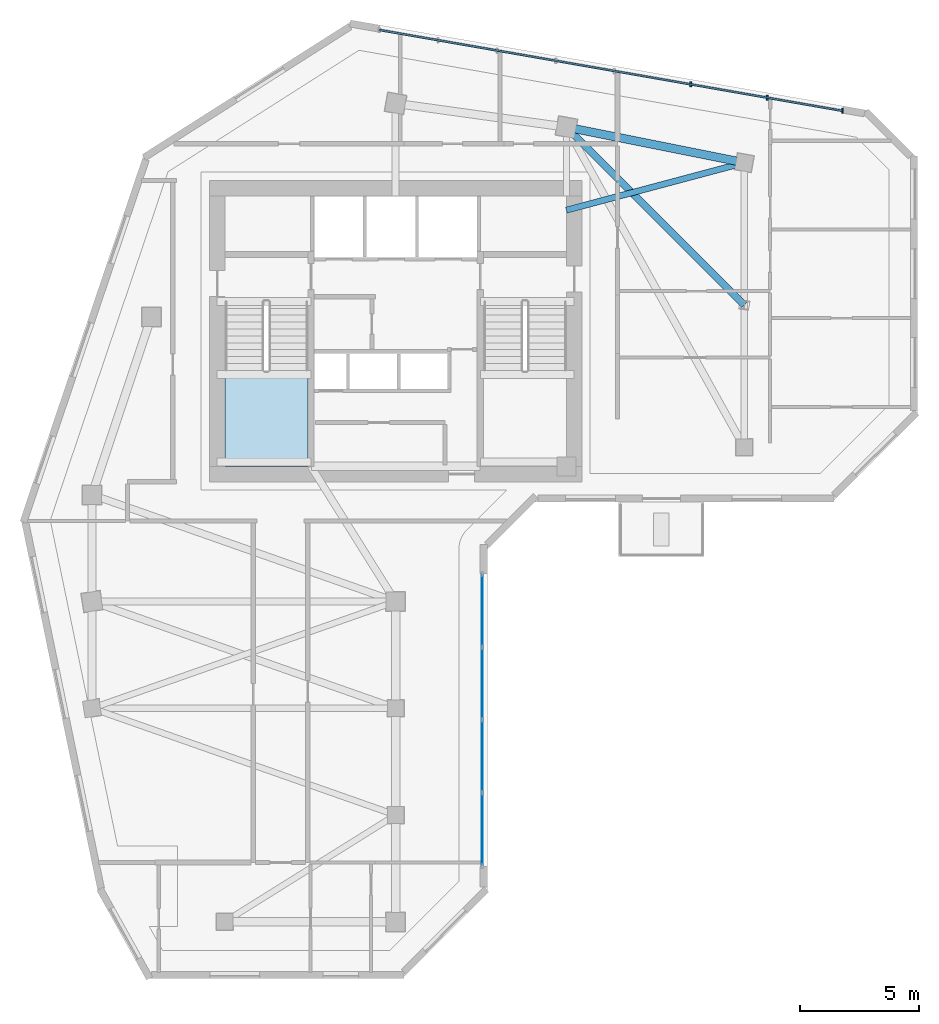
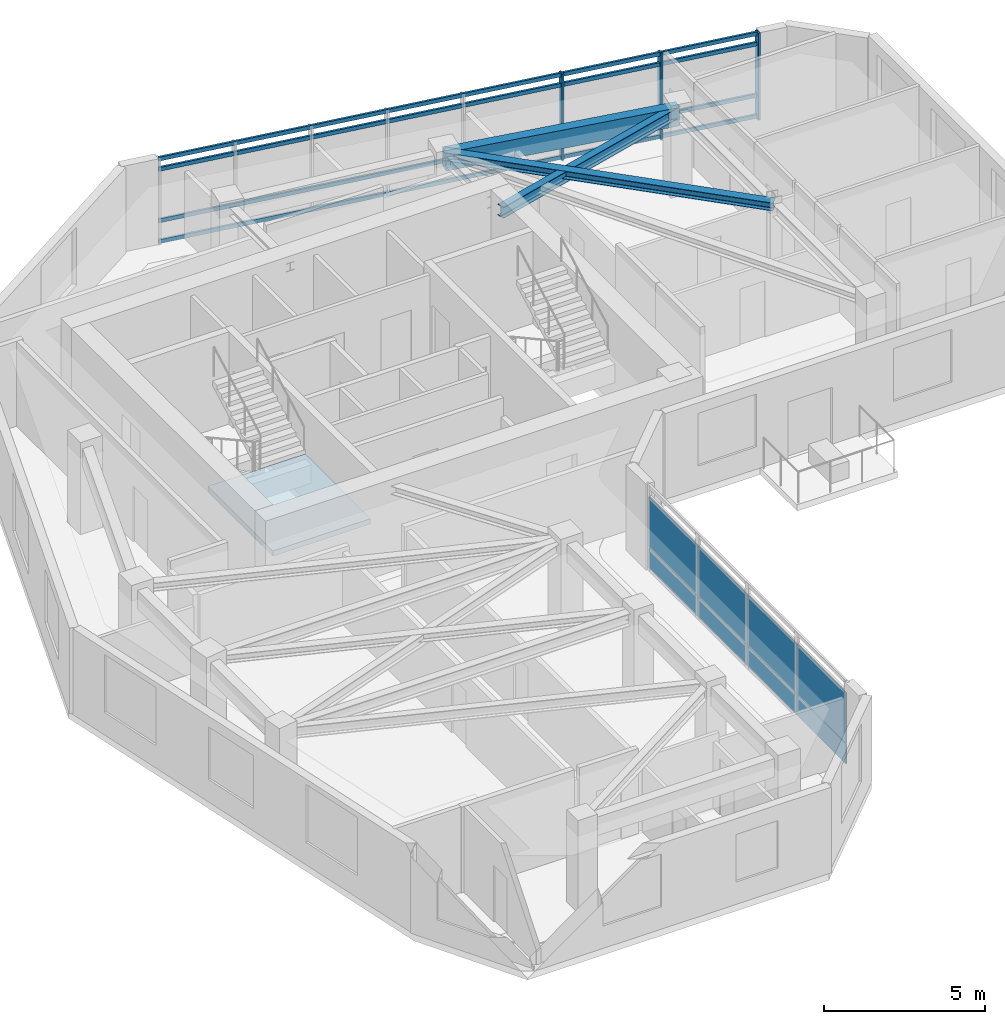
# One storey, part 2 of 9: 8 plates, 7 members, 3 beams, 1 slab, 3 elements without a shape of their own.
"""IFC4 building model written with IfcOpenShell, lengths in metres."""

from ifc_helpers import new_model, si_unit, direction, frame, frame_2d, origin, origin_2d, place, context, subcontext, project, spatial, polyline, rectangle, i_section, outline, extrude, source, transform, mapped, material, layer, layer_set, material_profile, profile_set, type_object, element, aggregate, save


model = new_model("IFC4")

# Units and contexts
model_context = context("Model", 3, precision=1e-05, world=origin(), true_north=direction((0.0, 1.0)))
body_context = subcontext(model_context, "Body", "Model", "MODEL_VIEW")
ifc_project = project(units=[si_unit("LENGTHUNIT", "METRE"), si_unit("AREAUNIT", "SQUARE_METRE"), si_unit("VOLUMEUNIT", "CUBIC_METRE"), si_unit("PLANEANGLEUNIT", "RADIAN"), si_unit("MASSUNIT", "GRAM", prefix="KILO")], contexts=[model_context])

# Site, building, storey
site_placement = place(None, origin())
site = spatial("IfcSite", under=ifc_project, at=site_placement, CompositionType="ELEMENT")
building_placement = place(site_placement, origin())
building = spatial("IfcBuilding", under=site, at=building_placement, Name="Calvemar Wedge Station Tower", CompositionType="ELEMENT")
storey_placement = place(building_placement, frame((0.0, 0.0, 232.39990234375)))
storey = spatial("IfcBuildingStorey", under=building, at=storey_placement, Name="L59", CompositionType="ELEMENT", Elevation=232.39990234375)

# Beams
ifc_material_1 = material(Name="Structural steel ASTM A572 Grade 50", Category="steel")
ifc_material_profile_1 = material_profile(ifc_material_1, i_section(OverallWidth=0.260986328125, OverallDepth=0.419921875, WebThickness=0.01171875, FlangeThickness=0.019287109375, FilletRadius=0.012939453125, at=origin_2d()), Name="W410x114")
ifc_profile_set_1 = profile_set([ifc_material_profile_1], Name="Structural steel ASTM A572 Grade 50")
beam_type_1 = type_object("IfcBeamType", Name="BM-J2-W410H", PredefinedType="JOIST", material=ifc_profile_set_1)
shared_shape_1 = source(origin(), body_context, "Body", "SweptSolid", [
    extrude(i_section(OverallWidth=0.260986328125, OverallDepth=0.419921875, WebThickness=0.01171875, FlangeThickness=0.019287109375, FilletRadius=0.012939453125, at=origin_2d()), origin(), (0.0, 0.0, 1.0), 7.76220703125),
])
beam_1_placement = place(storey_placement, frame((31.0, 45.0, 3.0400390625), z_axis=(0.966234939601, 0.25766265056, 0.0), x_axis=(-0.25766265056, 0.966234939601, 0.0)))
element("IfcBeam", 1, at=beam_1_placement, inside=storey, type_object=beam_type_1, Name="Storey L59 Core-to-Column Joist CJ-E2", PredefinedType="JOIST", context=body_context, shape_type="MappedRepresentation", body=[
    mapped(shared_shape_1, transform((0.0, 0.0, 0.0), scale=1.0)),
])
ifc_material_profile_2 = material_profile(ifc_material_1, i_section(OverallWidth=0.304931640625, OverallDepth=0.30810546875, WebThickness=0.010009765625, FlangeThickness=0.015380859375, FilletRadius=0.014892578125, at=origin_2d()), Name="W310x97")
ifc_profile_set_2 = profile_set([ifc_material_profile_2], Name="Structural steel ASTM A572 Grade 50")
beam_type_2 = type_object("IfcBeamType", Name="BM-J6-W310", PredefinedType="JOIST", material=ifc_profile_set_2)
shared_shape_2 = source(origin(), body_context, "Body", "SweptSolid", [
    extrude(i_section(OverallWidth=0.304931640625, OverallDepth=0.30810546875, WebThickness=0.010009765625, FlangeThickness=0.015380859375, FilletRadius=0.014892578125, at=origin_2d()), origin(), (0.0, 0.0, 1.0), 10.606689453125),
])
beam_2_placement = place(storey_placement, frame((38.5, 41.0, 3.09619140625), z_axis=(-0.707106781187, 0.707106781187, 0.0), x_axis=(-0.707106781187, -0.707106781187, 0.0)))
element("IfcBeam", 2, at=beam_2_placement, inside=storey, type_object=beam_type_2, Name="Storey L59 Floor Beam T-NTIP-B-T-N2", PredefinedType="JOIST", context=body_context, shape_type="MappedRepresentation", body=[
    mapped(shared_shape_2, transform((0.0, 0.0, 0.0), scale=1.0)),
])
ifc_material_2 = material(Name="Concrete C50", Category="concrete")
ifc_material_profile_3 = material_profile(ifc_material_2, rectangle(XDim=0.35009765625, YDim=0.699951171875, at=origin_2d()), Name="RC350x700")
ifc_profile_set_3 = profile_set([ifc_material_profile_3], Name="Concrete C50")
beam_type_3 = type_object("IfcBeamType", Name="BM-SP2-700", PredefinedType="SPANDREL", material=ifc_profile_set_3)
shared_shape_3 = source(origin(), body_context, "Body", "SweptSolid", [
    extrude(rectangle(XDim=0.35009765625, YDim=0.699951171875, at=origin_2d()), origin(), (0.0, 0.0, 1.0), 7.6484375),
])
beam_3_placement = place(storey_placement, frame((31.0, 48.5, 2.900146484375), z_axis=(0.980580675691, -0.196116135138, 0.0), x_axis=(0.196116135138, 0.980580675691, 0.0)))
element("IfcBeam", 3, at=beam_3_placement, inside=storey, type_object=beam_type_3, Name="Storey L59 Spandrel T-N2-T-NU3", PredefinedType="SPANDREL", context=body_context, shape_type="MappedRepresentation", body=[
    mapped(shared_shape_3, transform((0.0, 0.0, 0.0), scale=1.0)),
])

# Curtain wall, members
ifc_material_3 = material(Name="Anodised aluminium 6063-T6", Category="aluminium")
curtain_wall_type = type_object("IfcCurtainWallType", Name="CW3", PredefinedType="NOTDEFINED", material=ifc_material_3)
curtain_wall_1_placement = place(storey_placement, origin())
curtain_wall_1 = element("IfcCurtainWall", 4, at=curtain_wall_1_placement, inside=storey, type_object=curtain_wall_type, Name="Storey L59 CW3 Recessed Unitised Curtain Wall 10", PredefinedType="NOTDEFINED")
ifc_material_profile_4 = material_profile(ifc_material_3, rectangle(XDim=0.074951171875, YDim=0.2099609375, at=origin_2d()), Name="AL-MUL-75x210")
ifc_profile_set_4 = profile_set([ifc_material_profile_4], Name="Anodised aluminium 6063-T6")
member_type_1 = type_object("IfcMemberType", Name="CW3-MUL", PredefinedType="MULLION", material=ifc_profile_set_4)
shared_shape_4 = source(origin(), body_context, "Body", "SweptSolid", [
    extrude(rectangle(XDim=0.074951171875, YDim=0.2099609375, at=origin_2d()), origin(), (0.0, 0.0, 1.0), 3.2998046875),
])
member_1_placement = place(storey_placement, frame((42.633544921875, 49.1826171875, -0.0498046875), z_axis=(0.0, 0.0, 1.0), x_axis=(1.0, 0.0, 0.0)))
member_1 = element("IfcMember", 5, at=member_1_placement, type_object=member_type_1, Name="CW3 mullion 1", PredefinedType="MULLION", context=body_context, shape_type="MappedRepresentation", body=[
    mapped(shared_shape_4, transform((0.0, 0.0, 0.0), scale=1.0)),
])
member_2_placement = place(storey_placement, frame((39.46142578125, 49.73681640625, -0.0498046875), z_axis=(0.0, 0.0, 1.0), x_axis=(1.0, 0.0, 0.0)))
member_2 = element("IfcMember", 6, at=member_2_placement, type_object=member_type_1, Name="CW3 mullion 2", PredefinedType="MULLION", context=body_context, shape_type="MappedRepresentation", body=[
    mapped(shared_shape_4, transform((0.0, 0.0, 0.0), scale=1.0)),
])
member_3_placement = place(storey_placement, frame((36.24169921875, 50.299072265625, -0.0498046875), z_axis=(0.0, 0.0, 1.0), x_axis=(1.0, 0.0, 0.0)))
member_3 = element("IfcMember", 7, at=member_3_placement, type_object=member_type_1, Name="CW3 mullion 3", PredefinedType="MULLION", context=body_context, shape_type="MappedRepresentation", body=[
    mapped(shared_shape_4, transform((0.0, 0.0, 0.0), scale=1.0)),
])
ifc_material_profile_5 = material_profile(ifc_material_3, rectangle(XDim=0.074951171875, YDim=0.14501953125, at=origin_2d()), Name="AL-TRN-75x145")
ifc_profile_set_5 = profile_set([ifc_material_profile_5], Name="Anodised aluminium 6063-T6")
member_type_2 = type_object("IfcMemberType", Name="CW3-TRN", PredefinedType="USERDEFINED", material=ifc_profile_set_5)
shared_shape_5 = source(origin(), body_context, "Body", "SweptSolid", [
    extrude(rectangle(XDim=0.074951171875, YDim=0.14501953125, at=origin_2d()), origin(), (0.0, 0.0, 1.0), 19.824462890625),
])
member_4_placement = place(storey_placement, frame((42.633544921875, 49.1826171875, 0.06005859375), z_axis=(-0.985085308681, 0.172066657493, 0.0), x_axis=(-0.172066657493, -0.985085308681, 0.0)))
member_4 = element("IfcMember", 8, at=member_4_placement, type_object=member_type_2, Name="CW3 transom 1", ObjectType="TRANSOM", PredefinedType="USERDEFINED", context=body_context, shape_type="MappedRepresentation", body=[
    mapped(shared_shape_5, transform((0.0, 0.0, 0.0), scale=1.0)),
])
member_5_placement = place(storey_placement, frame((42.633544921875, 49.1826171875, 0.85009765625), z_axis=(-0.985085308681, 0.172066657493, 0.0), x_axis=(-0.172066657493, -0.985085308681, 0.0)))
member_5 = element("IfcMember", 9, at=member_5_placement, type_object=member_type_2, Name="CW3 transom 2", ObjectType="TRANSOM", PredefinedType="USERDEFINED", context=body_context, shape_type="MappedRepresentation", body=[
    mapped(shared_shape_5, transform((0.0, 0.0, 0.0), scale=1.0)),
])
member_6_placement = place(storey_placement, frame((42.633544921875, 49.1826171875, 2.800048828125), z_axis=(-0.985085308681, 0.172066657493, 0.0), x_axis=(-0.172066657493, -0.985085308681, 0.0)))
member_6 = element("IfcMember", 10, at=member_6_placement, type_object=member_type_2, Name="CW3 transom 3", ObjectType="TRANSOM", PredefinedType="USERDEFINED", context=body_context, shape_type="MappedRepresentation", body=[
    mapped(shared_shape_5, transform((0.0, 0.0, 0.0), scale=1.0)),
])
member_7_placement = place(storey_placement, frame((42.633544921875, 49.1826171875, 3.190185546875), z_axis=(-0.985085308681, 0.172066657493, 0.0), x_axis=(-0.172066657493, -0.985085308681, 0.0)))
member_7 = element("IfcMember", 11, at=member_7_placement, type_object=member_type_2, Name="CW3 transom 4", ObjectType="TRANSOM", PredefinedType="USERDEFINED", context=body_context, shape_type="MappedRepresentation", body=[
    mapped(shared_shape_5, transform((0.0, 0.0, 0.0), scale=1.0)),
])
aggregate(curtain_wall_1, [member_1, member_2, member_3, member_4, member_5, member_6, member_7])

# Curtain wall, plates
curtain_wall_2_placement = place(storey_placement, origin())
curtain_wall_2 = element("IfcCurtainWall", 12, at=curtain_wall_2_placement, inside=storey, type_object=curtain_wall_type, Name="Storey L59 CW3 Recessed Unitised Curtain Wall 4", PredefinedType="NOTDEFINED")
ifc_material_4 = material(Name="Low-E laminated insulated glass", Category="glass")
ifc_layer_1 = layer(ifc_material_4, 0.028076171875)
ifc_layer_set_1 = layer_set([ifc_layer_1], Name="Low-E laminated insulated glass")
plate_type_1 = type_object("IfcPlateType", Name="CW3-GLZ", PredefinedType="CURTAIN_PANEL", material=ifc_layer_set_1)
plate_1_placement = place(storey_placement, frame((27.4541015625, 17.380126953125, 0.8701171875), z_axis=(0.0, 0.0, 1.0), x_axis=(0.0, 1.0, 0.0)))
plate_1 = element("IfcPlate", 13, at=plate_1_placement, type_object=plate_type_1, Name="CW3 vision glass panel 1", PredefinedType="CURTAIN_PANEL", context=body_context, shape_type="SweptSolid", body=[
    extrude(rectangle(XDim=3.036865234375, YDim=0.028076171875, at=frame_2d((1.5185546875, 0.0))), origin(), (0.0, 0.0, 1.0), 1.909912109375),
])
plate_2_placement = place(storey_placement, frame((27.4541015625, 20.453125, 0.8701171875), z_axis=(0.0, 0.0, 1.0), x_axis=(0.0, 1.0, 0.0)))
plate_2 = element("IfcPlate", 14, at=plate_2_placement, type_object=plate_type_1, Name="CW3 vision glass panel 2", PredefinedType="CURTAIN_PANEL", context=body_context, shape_type="SweptSolid", body=[
    extrude(rectangle(XDim=3.036865234375, YDim=0.028076171875, at=frame_2d((1.5185546875, 0.0))), origin(), (0.0, 0.0, 1.0), 1.909912109375),
])
plate_3_placement = place(storey_placement, frame((27.4541015625, 23.526123046875, 0.8701171875), z_axis=(0.0, 0.0, 1.0), x_axis=(0.0, 1.0, 0.0)))
plate_3 = element("IfcPlate", 15, at=plate_3_placement, type_object=plate_type_1, Name="CW3 vision glass panel 3", PredefinedType="CURTAIN_PANEL", context=body_context, shape_type="SweptSolid", body=[
    extrude(rectangle(XDim=3.036865234375, YDim=0.028076171875, at=frame_2d((1.5185546875, 0.0))), origin(), (0.0, 0.0, 1.0), 1.909912109375),
])
plate_4_placement = place(storey_placement, frame((27.4541015625, 26.59912109375, 0.8701171875), z_axis=(0.0, 0.0, 1.0), x_axis=(0.0, 1.0, 0.0)))
plate_4 = element("IfcPlate", 16, at=plate_4_placement, type_object=plate_type_1, Name="CW3 vision glass panel 4", PredefinedType="CURTAIN_PANEL", context=body_context, shape_type="SweptSolid", body=[
    extrude(rectangle(XDim=3.036865234375, YDim=0.028076171875, at=frame_2d((1.5185546875, 0.0))), origin(), (0.0, 0.0, 1.0), 1.909912109375),
])
ifc_material_5 = material(Name="Oxidized bronze aluminium spandrel panel 5005-H24", Category="aluminium")
ifc_layer_2 = layer(ifc_material_5, 0.0400390625)
ifc_layer_set_2 = layer_set([ifc_layer_2], Name="Oxidized bronze aluminium spandrel panel 5005-H24")
plate_type_2 = type_object("IfcPlateType", Name="CW3-SPD", PredefinedType="SHEET", material=ifc_layer_set_2)
plate_5_placement = place(storey_placement, frame((27.4541015625, 17.380126953125, 0.080078125), z_axis=(0.0, 0.0, 1.0), x_axis=(0.0, 1.0, 0.0)))
plate_5 = element("IfcPlate", 17, at=plate_5_placement, type_object=plate_type_2, Name="CW3 bronze spandrel panel 1", PredefinedType="SHEET", context=body_context, shape_type="SweptSolid", body=[
    extrude(rectangle(XDim=3.036865234375, YDim=0.0400390625, at=frame_2d((1.5185546875, 0.0))), origin(), (0.0, 0.0, 1.0), 0.75),
])
plate_6_placement = place(storey_placement, frame((27.4541015625, 20.453125, 0.080078125), z_axis=(0.0, 0.0, 1.0), x_axis=(0.0, 1.0, 0.0)))
plate_6 = element("IfcPlate", 18, at=plate_6_placement, type_object=plate_type_2, Name="CW3 bronze spandrel panel 2", PredefinedType="SHEET", context=body_context, shape_type="SweptSolid", body=[
    extrude(rectangle(XDim=3.036865234375, YDim=0.0400390625, at=frame_2d((1.5185546875, 0.0))), origin(), (0.0, 0.0, 1.0), 0.75),
])
plate_7_placement = place(storey_placement, frame((27.4541015625, 23.526123046875, 0.080078125), z_axis=(0.0, 0.0, 1.0), x_axis=(0.0, 1.0, 0.0)))
plate_7 = element("IfcPlate", 19, at=plate_7_placement, type_object=plate_type_2, Name="CW3 bronze spandrel panel 3", PredefinedType="SHEET", context=body_context, shape_type="SweptSolid", body=[
    extrude(rectangle(XDim=3.036865234375, YDim=0.0400390625, at=frame_2d((1.5185546875, 0.0))), origin(), (0.0, 0.0, 1.0), 0.75),
])
plate_8_placement = place(storey_placement, frame((27.4541015625, 26.59912109375, 0.080078125), z_axis=(0.0, 0.0, 1.0), x_axis=(0.0, 1.0, 0.0)))
plate_8 = element("IfcPlate", 20, at=plate_8_placement, type_object=plate_type_2, Name="CW3 bronze spandrel panel 4", PredefinedType="SHEET", context=body_context, shape_type="SweptSolid", body=[
    extrude(rectangle(XDim=3.036865234375, YDim=0.0400390625, at=frame_2d((1.5185546875, 0.0))), origin(), (0.0, 0.0, 1.0), 0.75),
])
aggregate(curtain_wall_2, [plate_5, plate_1, plate_6, plate_2, plate_7, plate_3, plate_8, plate_4])

# Stair, slab
ifc_material_6 = material(Name="Concrete C45", Category="concrete")
stair_type = type_object("IfcStairType", Name="ST-TYPE-3500", PredefinedType="HALF_TURN_STAIR", material=ifc_material_6)
stair_placement = place(storey_placement, origin())
stair = element("IfcStair", 21, at=stair_placement, inside=storey, type_object=stair_type, Name="L59 Pressurized Core Exit Stair ST-C1", PredefinedType="HALF_TURN_STAIR")
ifc_layer_3 = layer(ifc_material_6, 0.199951171875)
ifc_layer_set_3 = layer_set([ifc_layer_3], Name="Concrete C45")
slab_type = type_object("IfcSlabType", Name="SL-STAIR-LND-200", PredefinedType="LANDING", material=ifc_layer_set_3)
slab_placement = place(storey_placement, frame((0.0, 0.0, 1.550048828125)))
slab = element("IfcSlab", 22, at=slab_placement, type_object=slab_type, Name="ST-C1 landing 1", PredefinedType="LANDING", context=body_context, shape_type="SweptSolid", body=[
    extrude(outline(polyline([(16.60009765625, 38.25), (16.60009765625, 34.199951171875), (20.10009765625, 34.199951171875), (20.10009765625, 38.25), (16.60009765625, 38.25)])), origin(), (0.0, 0.0, 1.0), 0.199951171875),
])
aggregate(stair, [slab])

save(model, "model.ifc")
